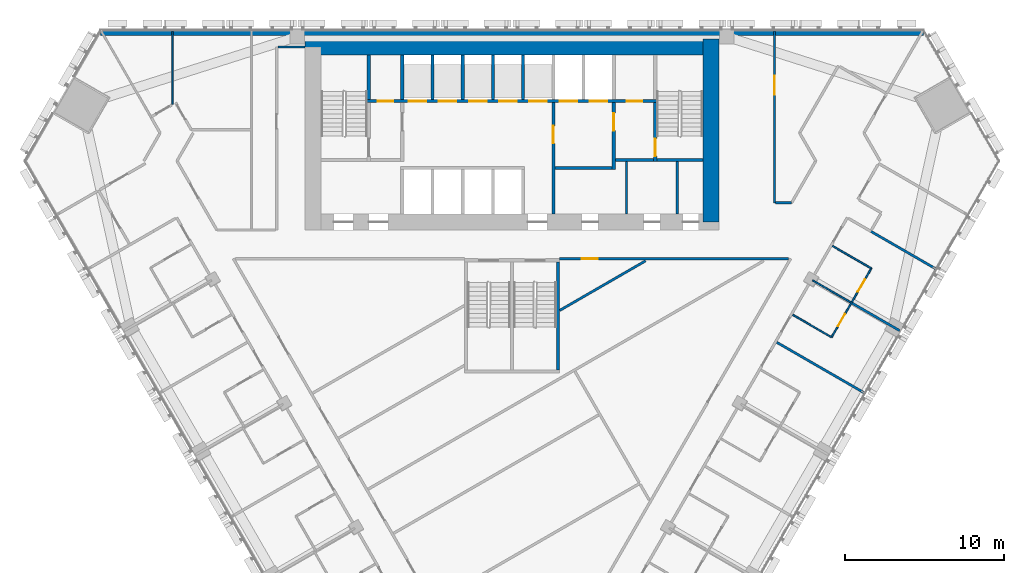
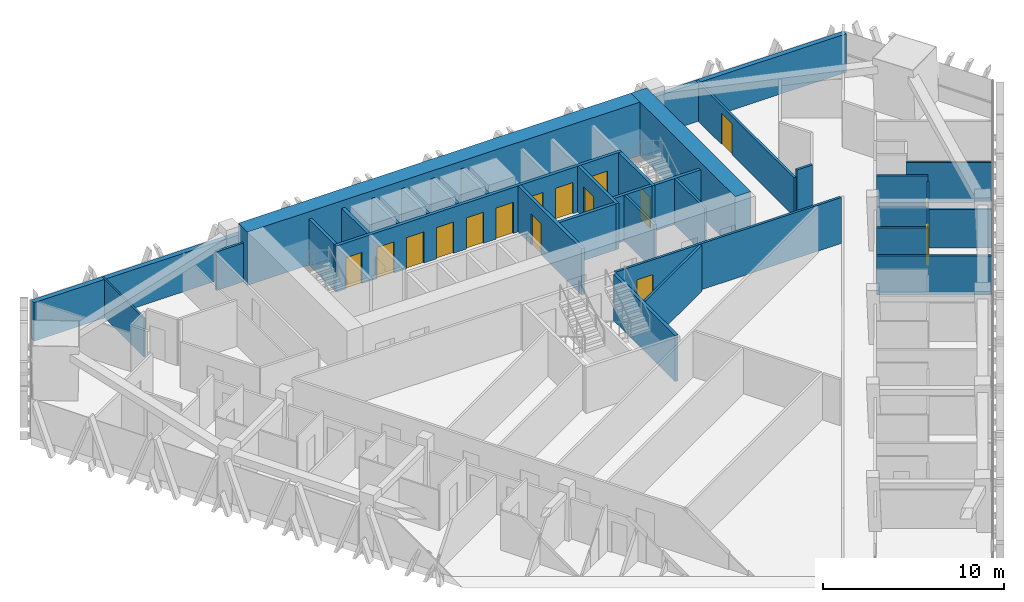
# One storey, part 13 of 18: 32 walls, 16 doors, 16 openings.
"""IFC4 building model written with IfcOpenShell, lengths in metres."""

import ifcopenshell
import ifcopenshell.guid

model = None  # the IFC model being written
_history = None  # IfcOwnerHistory: only IFC2X3 demands one
_inside = {}  # id of a spatial element -> (the spatial element, [elements in it])
_under = {}  # id of a project, library or spatial element -> (it, [spatial elements below it])
_declared = {}  # id of a project -> (the project, [libraries it declares])
_typed = {}  # id of a type object -> (the type object, [elements of that type])
_made_of = {}  # id of a material, layer set ... -> (it, [elements and type objects made of it])


def new_model(schema):
    """Start an empty IFC model of exactly this schema.

    Asked for "IFC4X3", IfcOpenShell would pick the latest addendum, in which some entities
    have other attributes; the version numbers below select the first issue.
    IFC2X3 requires an IfcOwnerHistory on every rooted entity: one is made here for all.
    """
    global model, _history
    if schema == "IFC4X3":
        model = ifcopenshell.file(schema_version=(4, 3, 0, 0))
    else:
        model = ifcopenshell.file(schema=schema)
    _inside.clear()
    _under.clear()
    _declared.clear()
    _typed.clear()
    _made_of.clear()
    _history = None
    if model.schema == "IFC2X3":
        org = make("IfcOrganization", Name="unknown")
        user = make(
            "IfcPersonAndOrganization",
            ThePerson=make("IfcPerson", FamilyName="unknown"),
            TheOrganization=org,
        )
        app = make(
            "IfcApplication",
            ApplicationDeveloper=org,
            Version="unknown",
            ApplicationFullName="unknown",
            ApplicationIdentifier="unknown",
        )
        _history = make(
            "IfcOwnerHistory",
            OwningUser=user,
            OwningApplication=app,
            ChangeAction="ADDED",
            CreationDate=0,
        )
    return model


def make(cls, **values):
    """One entity of the class cls with the attributes given. An attribute that is None is left unset."""
    return model.create_entity(
        cls, **{name: value for name, value in values.items() if value is not None}
    )


def rooted(cls, **values):
    """An entity with a GlobalId (a new one), such as an element, a storey or a relation."""
    return make(cls, GlobalId=ifcopenshell.guid.new(), OwnerHistory=_history, **values)


def si_unit(unit_type, name, prefix=None):
    """IfcSIUnit, for example si_unit("LENGTHUNIT", "METRE", prefix="MILLI")."""
    return make("IfcSIUnit", UnitType=unit_type, Prefix=prefix, Name=name)


def assignment(units):
    """IfcUnitAssignment: the units of a project."""
    return None if units is None else make("IfcUnitAssignment", Units=units)


def point(xyz):
    """IfcCartesianPoint."""
    return None if xyz is None else make("IfcCartesianPoint", Coordinates=xyz)


def direction(xyz):
    """IfcDirection."""
    return None if xyz is None else make("IfcDirection", DirectionRatios=xyz)


def frame(location, z_axis=None, x_axis=None):
    """IfcAxis2Placement3D, a coordinate frame: its origin and axes. An axis left out is left unset."""
    return make(
        "IfcAxis2Placement3D",
        Location=point(location),
        Axis=direction(z_axis),
        RefDirection=direction(x_axis),
    )


def frame_2d(location, x_axis=None):
    """IfcAxis2Placement2D, a coordinate frame in the plane: its origin and x axis."""
    return make(
        "IfcAxis2Placement2D", Location=point(location), RefDirection=direction(x_axis)
    )


def origin():
    """The frame at (0, 0, 0) with its axes left unset."""
    return frame((0.0, 0.0, 0.0))


def place(relative_to, where):
    """IfcLocalPlacement: puts the frame where relative to a parent placement (None: the world)."""
    return make(
        "IfcLocalPlacement", PlacementRelTo=relative_to, RelativePlacement=where
    )


def context(
    kind, dimensions, precision=None, world=None, true_north=None, identifier=None
):
    """IfcGeometricRepresentationContext, for example the 3D "Model" context."""
    return make(
        "IfcGeometricRepresentationContext",
        ContextIdentifier=identifier,
        ContextType=kind,
        CoordinateSpaceDimension=dimensions,
        Precision=precision,
        WorldCoordinateSystem=world,
        TrueNorth=true_north,
    )


def subcontext(parent, identifier, kind, view, scale=None):
    """IfcGeometricRepresentationSubContext, for example "Body" below "Model"."""
    return make(
        "IfcGeometricRepresentationSubContext",
        ContextIdentifier=identifier,
        ContextType=kind,
        ParentContext=parent,
        TargetScale=scale,
        TargetView=view,
    )


def project(units=None, contexts=None):
    """IfcProject with its units and contexts."""
    return rooted(
        "IfcProject",
        Name="project",
        RepresentationContexts=contexts,
        UnitsInContext=assignment(units),
    )


def spatial(cls, under=None, at=None, **own):
    """A site, building, storey or space (cls), placed at a placement, below another one or the project."""
    s = rooted(cls, ObjectPlacement=at, **own)
    if under is not None:
        _under.setdefault(under.id(), (under, []))[1].append(s)
    return s


def profile(cls, at=None, kind="AREA", **sizes):
    """A parametric profile (cls). Its sizes go by their IFC names, for example OverallWidth=200.0."""
    return make(cls, ProfileType=kind, Position=at, **sizes)


def rectangle(**sizes):
    """IfcRectangleProfileDef."""
    return profile("IfcRectangleProfileDef", **sizes)


def extrude(swept, where, along, depth):
    """IfcExtrudedAreaSolid: the profile swept, set in the frame where, extruded along a direction by depth."""
    return make(
        "IfcExtrudedAreaSolid",
        SweptArea=swept,
        Position=where,
        ExtrudedDirection=direction(along),
        Depth=depth,
    )


def shape(context_of_items, identifier, shape_type, items):
    """IfcShapeRepresentation: the items that make up one representation, for example the "Body"."""
    return make(
        "IfcShapeRepresentation",
        ContextOfItems=context_of_items,
        RepresentationIdentifier=identifier,
        RepresentationType=shape_type,
        Items=items,
    )


def material(Name=None, Category=None):
    """IfcMaterial."""
    return make("IfcMaterial", Name=Name, Category=Category)


def layer(
    of_material, thickness, ventilated=None, Name=None, Category=None, Priority=None
):
    """IfcMaterialLayer: one layer of a wall or slab, of a material (None: an air gap)."""
    return make(
        "IfcMaterialLayer",
        Material=of_material,
        LayerThickness=thickness,
        IsVentilated=ventilated,
        Name=Name,
        Category=Category,
        Priority=Priority,
    )


def layer_set(layers, Name=None):
    """IfcMaterialLayerSet."""
    return make("IfcMaterialLayerSet", MaterialLayers=layers, LayerSetName=Name)


def made_of(thing, what):
    """Note that an element or type object is made of a material, layer set ...; save() writes the relation."""
    if what is not None:
        _made_of.setdefault(what.id(), (what, []))[1].append(thing)
    return thing


def type_object(cls, material=None, **own):
    """A type object (cls), such as IfcWallType, which elements share."""
    return made_of(rooted(cls, **own), material)


def element(
    cls,
    number,
    at=None,
    inside=None,
    cuts=None,
    type_object=None,
    material=None,
    context=None,
    identifier="Body",
    shape_type=None,
    held_by="IfcProductDefinitionShape",
    body=None,
    shapes=None,
    **own,
):
    """One element of the class cls, such as IfcWall. Its Tag is "e" and its number.

    at: its placement. inside: the storey or other place that contains it. cuts: it is an
    opening in that element (IfcRelVoidsElement). A single representation is given by context,
    identifier, shape_type and body (its items); several are given by shapes. held_by: the class
    of the entity that holds the representations. save() writes the other relations.
    """
    e = rooted(cls, Tag="e%d" % number, ObjectPlacement=at, **own)
    if body is not None:
        shapes = [shape(context, identifier, shape_type, body)]
    if shapes is not None:
        e.Representation = make(held_by, Representations=shapes)
    if inside is not None:
        _inside.setdefault(inside.id(), (inside, []))[1].append(e)
    if cuts is not None:
        rooted(
            "IfcRelVoidsElement", RelatingBuildingElement=cuts, RelatedOpeningElement=e
        )
    if type_object is not None:
        _typed.setdefault(type_object.id(), (type_object, []))[1].append(e)
    return made_of(e, material)


def fill(opening, filler):
    """IfcRelFillsElement: the door or window that sits in an opening."""
    return rooted(
        "IfcRelFillsElement",
        RelatingOpeningElement=opening,
        RelatedBuildingElement=filler,
    )


def aggregate(whole, parts):
    """IfcRelAggregates: a whole, such as a stair, and the parts it consists of."""
    return rooted("IfcRelAggregates", RelatingObject=whole, RelatedObjects=parts)


def save(model, path):
    """Write the relations noted so far, then the file.

    IfcRelAggregates (storeys below a building ...), IfcRelContainedInSpatialStructure (elements
    in a storey), IfcRelDefinesByType, IfcRelAssociatesMaterial and IfcRelDeclares: one each for
    every whole, place, type object, material and project.
    """
    for whole, parts in _under.values():
        aggregate(whole, parts)
    for where, things in _inside.values():
        rooted(
            "IfcRelContainedInSpatialStructure",
            RelatedElements=things,
            RelatingStructure=where,
        )
    for kind, things in _typed.values():
        rooted("IfcRelDefinesByType", RelatedObjects=things, RelatingType=kind)
    for what, things in _made_of.values():
        rooted("IfcRelAssociatesMaterial", RelatedObjects=things, RelatingMaterial=what)
    for by, libraries in _declared.values():
        rooted("IfcRelDeclares", RelatingContext=by, RelatedDefinitions=libraries)
    model.write(path)


model = new_model("IFC4")

# Units and contexts
model_context = context("Model", 3, precision=1e-05, world=origin(), true_north=direction((0.0, 1.0)))
body_context = subcontext(model_context, "Body", "Model", "MODEL_VIEW")
ifc_project = project(units=[si_unit("LENGTHUNIT", "METRE"), si_unit("AREAUNIT", "SQUARE_METRE"), si_unit("VOLUMEUNIT", "CUBIC_METRE"), si_unit("PLANEANGLEUNIT", "RADIAN"), si_unit("MASSUNIT", "GRAM", prefix="KILO")], contexts=[model_context])

# Site, building, storey
site_placement = place(None, origin())
site = spatial("IfcSite", under=ifc_project, at=site_placement, CompositionType="ELEMENT")
building_placement = place(site_placement, origin())
building = spatial("IfcBuilding", under=site, at=building_placement, Name="Altiplano Prism Tower", CompositionType="ELEMENT")
storey_placement = place(building_placement, frame((0.0, 0.0, 48.60009765625)))
storey = spatial("IfcBuildingStorey", under=building, at=storey_placement, Name="L11", CompositionType="ELEMENT", Elevation=48.60009765625)

# Walls
ifc_material_1 = material(Name="Concrete C70/85", Category="concrete")
ifc_layer_1 = layer(ifc_material_1, 1.0)
ifc_layer_set_1 = layer_set([ifc_layer_1], Name="Concrete C70/85")
wall_type_1 = type_object("IfcWallType", Name="Core wall 1000", PredefinedType="SHEAR", material=ifc_layer_set_1)
wall_1_placement = place(storey_placement, frame((97.5, 92.89990234375, 0.0), z_axis=(0.0, 0.0, 1.0), x_axis=(0.0, 1.0, 0.0)))
element("IfcWall", 1, at=wall_1_placement, inside=storey, type_object=wall_type_1, Name="Core wall E L11", PredefinedType="SHEAR", context=body_context, shape_type="SweptSolid", body=[
    extrude(rectangle(XDim=11.5, YDim=1.0, at=frame_2d((5.75, 0.0))), origin(), (0.0, 0.0, 1.0), 3.599853515625),
])
wall_2_placement = place(storey_placement, frame((97.5, 103.89990234375, 0.0), z_axis=(0.0, 0.0, 1.0), x_axis=(-1.0, 0.0, 0.0)))
element("IfcWall", 2, at=wall_2_placement, inside=storey, type_object=wall_type_1, Name="Core wall N L11", PredefinedType="SHEAR", context=body_context, shape_type="SweptSolid", body=[
    extrude(rectangle(XDim=25.5, YDim=1.0, at=frame_2d((12.75, 0.0))), origin(), (0.0, 0.0, 1.0), 3.599853515625),
])
ifc_material_2 = material(Name="Plasterboard on steel stud", Category="steel")
ifc_layer_2 = layer(ifc_material_2, 0.10009765625)
ifc_layer_set_2 = layer_set([ifc_layer_2], Name="Plasterboard on steel stud")
wall_type_2 = type_object("IfcWallType", Name="Partition 100 unit", PredefinedType="PARTITIONING", material=ifc_layer_set_2)
for number, where, z_axis, x_axis, name in (
    (3, (105.0888671875, 85.657470703125, 0.0), (0.0, 0.0, 1.0), (-0.866011447264, 0.500024172624, 0.0), "Partition P02 L11 097"),
    (4, (105.142333984375, 91.400146484375, 0.0), (0.0, 0.0, 1.0), (0.866048868473, -0.499959355765, 0.0), "Partition P02 L11 100"),
):
    element("IfcWall", number, at=place(storey_placement, frame(where, z_axis=z_axis, x_axis=x_axis)), inside=storey, type_object=wall_type_2, Name=name, PredefinedType="PARTITIONING", context=body_context, shape_type="SweptSolid", body=[
        extrude(rectangle(XDim=2.824951171875, YDim=0.10009765625, at=frame_2d((1.41259765625, 0.0))), origin(), (0.0, 0.0, 1.0), 3.099853515625),
    ])

# Wall, openings, doors
wall_3_placement = place(storey_placement, frame((107.5888671875, 89.98779296875, 0.0), z_axis=(0.0, 0.0, 1.0), x_axis=(-0.499983091616, -0.866035165624, 0.0)))
wall_3 = element("IfcWall", 5, at=wall_3_placement, inside=storey, type_object=wall_type_2, Name="Partition P02 L11 101", PredefinedType="PARTITIONING", context=body_context, shape_type="SweptSolid", body=[
    extrude(rectangle(XDim=5.000244140625, YDim=0.10009765625, at=frame_2d((2.5, 0.0))), origin(), (0.0, 0.0, 1.0), 2.699951171875),
])
opening_1_placement = place(wall_3_placement, frame((3.300048828125, 0.0, 0.0)))
opening_1 = element("IfcOpeningElement", 6, at=opening_1_placement, cuts=wall_3, Name="Opening D0458", PredefinedType="OPENING", context=body_context, shape_type="SweptSolid", body=[
    extrude(rectangle(XDim=0.89990234375, YDim=2.10009765625, at=frame_2d((0.449951171875, 1.050048828125))), frame((0.0, 0.060546875, 0.0), z_axis=(0.0, -1.0, 0.0), x_axis=(1.0, 0.0, 0.0)), (0.0, 0.0, 1.0), 0.12109375),
])
opening_2_placement = place(wall_3_placement, frame((0.800048828125, 0.0, 0.0)))
opening_2 = element("IfcOpeningElement", 7, at=opening_2_placement, cuts=wall_3, Name="Opening D0460", PredefinedType="OPENING", context=body_context, shape_type="SweptSolid", body=[
    extrude(rectangle(XDim=0.89990234375, YDim=2.10009765625, at=frame_2d((0.449951171875, 1.050048828125))), frame((0.0, 0.060546875, 0.0), z_axis=(0.0, -1.0, 0.0), x_axis=(1.0, 0.0, 0.0)), (0.0, 0.0, 1.0), 0.12109375),
])
ifc_material_3 = material(Name="Timber", Category="wood")
door_type_1 = type_object("IfcDoorType", Name="Ensuite door 900 x 2100", OperationType="NOTDEFINED", PredefinedType="NOTDEFINED", material=ifc_material_3)
door_1_placement = place(opening_1_placement, origin())
door_1 = element("IfcDoor", 8, at=door_1_placement, inside=storey, type_object=door_type_1, Name="Door D0458", OperationType="SINGLE_SWING_LEFT", OverallHeight=2.10009765625, OverallWidth=0.89990234375, PredefinedType="NOTDEFINED", context=body_context, shape_type="SweptSolid", body=[
    extrude(rectangle(XDim=0.89990234375, YDim=2.10009765625, at=frame_2d((0.449951171875, 1.050048828125))), frame((0.0, 0.02490234375, 0.0), z_axis=(0.0, -1.0, 0.0), x_axis=(1.0, 0.0, 0.0)), (0.0, 0.0, 1.0), 0.050048828125),
])
fill(opening_1, door_1)
door_2_placement = place(opening_2_placement, origin())
door_2 = element("IfcDoor", 9, at=door_2_placement, inside=storey, type_object=door_type_1, Name="Door D0460", OperationType="SINGLE_SWING_LEFT", OverallHeight=2.10009765625, OverallWidth=0.89990234375, PredefinedType="NOTDEFINED", context=body_context, shape_type="SweptSolid", body=[
    extrude(rectangle(XDim=0.89990234375, YDim=2.10009765625, at=frame_2d((0.449951171875, 1.050048828125))), frame((0.0, 0.02490234375, 0.0), z_axis=(0.0, -1.0, 0.0), x_axis=(1.0, 0.0, 0.0)), (0.0, 0.0, 1.0), 0.050048828125),
])
fill(opening_2, door_2)

# Walls
ifc_layer_3 = layer(ifc_material_2, 0.10009765625)
ifc_layer_set_3 = layer_set([ifc_layer_3], Name="Plasterboard on steel stud")
wall_type_3 = type_object("IfcWallType", Name="Partition 100 wet", PredefinedType="PARTITIONING", material=ifc_layer_set_3)
wall_4_placement = place(storey_placement, frame((63.66357421875, 100.2880859375, 0.0), z_axis=(0.0, 0.0, 1.0), x_axis=(0.0, 1.0, 0.0)))
element("IfcWall", 10, at=wall_4_placement, inside=storey, type_object=wall_type_3, Name="Partition P03 L11 044", PredefinedType="PARTITIONING", context=body_context, shape_type="SweptSolid", body=[
    extrude(rectangle(XDim=4.61181640625, YDim=0.10009765625, at=frame_2d((2.305908203125, 0.0))), origin(), (0.0, 0.0, 1.0), 2.599853515625),
])
wall_5_placement = place(storey_placement, frame((106.295654296875, 87.84765625, 0.0), z_axis=(0.0, 0.0, 1.0), x_axis=(-0.866042014628, 0.499971228071, 0.0)))
element("IfcWall", 11, at=wall_5_placement, inside=storey, type_object=wall_type_3, Name="Partition P03 L11 099", PredefinedType="PARTITIONING", context=body_context, shape_type="SweptSolid", body=[
    extrude(rectangle(XDim=2.775146484375, YDim=0.10009765625, at=frame_2d((1.3876953125, 0.0))), origin(), (0.0, 0.0, 1.0), 2.699951171875),
])
ifc_layer_4 = layer(ifc_material_2, 0.14990234375)
ifc_layer_set_4 = layer_set([ifc_layer_4], Name="Plasterboard on steel stud")
wall_type_4 = type_object("IfcWallType", Name="Partition 150 corridor", PredefinedType="PARTITIONING", material=ifc_layer_set_4)
wall_6_placement = place(storey_placement, frame((72.0, 103.89990234375, 0.0), z_axis=(0.0, 0.0, 1.0), x_axis=(-1.0, 0.0, 0.0)))
element("IfcWall", 12, at=wall_6_placement, inside=storey, type_object=wall_type_4, Name="Partition P06 L11 002", PredefinedType="PARTITIONING", context=body_context, shape_type="SweptSolid", body=[
    extrude(rectangle(XDim=1.72509765625, YDim=0.14990234375, at=frame_2d((0.862548828125, 0.0))), origin(), (0.0, 0.0, 1.0), 2.599853515625),
])
wall_7_placement = place(storey_placement, frame((102.572998046875, 94.10009765625, 0.0), z_axis=(0.0, 0.0, 1.0), x_axis=(-1.0, 0.0, 0.0)))
element("IfcWall", 13, at=wall_7_placement, inside=storey, type_object=wall_type_4, Name="Partition P06 L11 038", PredefinedType="PARTITIONING", context=body_context, shape_type="SweptSolid", body=[
    extrude(rectangle(XDim=0.998046875, YDim=0.14990234375, at=frame_2d((0.4990234375, 0.0))), origin(), (0.0, 0.0, 1.0), 3.099853515625),
])

# Wall, opening, door
wall_8_placement = place(storey_placement, frame((101.5, 94.10009765625, 0.0), z_axis=(0.0, 0.0, 1.0), x_axis=(0.0, 1.0, 0.0)))
wall_8 = element("IfcWall", 14, at=wall_8_placement, inside=storey, type_object=wall_type_4, Name="Partition P06 L11 039", PredefinedType="PARTITIONING", context=body_context, shape_type="SweptSolid", body=[
    extrude(rectangle(XDim=10.7998046875, YDim=0.14990234375, at=frame_2d((5.39990234375, 0.0))), origin(), (0.0, 0.0, 1.0), 2.599853515625),
])
opening_3_placement = place(wall_8_placement, frame((6.7939453125, 0.0, 0.0)))
opening_3 = element("IfcOpeningElement", 15, at=opening_3_placement, cuts=wall_8, Name="Opening D0463", PredefinedType="OPENING", context=body_context, shape_type="SweptSolid", body=[
    extrude(rectangle(XDim=1.199951171875, YDim=2.10009765625, at=frame_2d((0.60009765625, 1.050048828125))), frame((0.0, 0.08544921875, 0.0), z_axis=(0.0, -1.0, 0.0), x_axis=(1.0, 0.0, 0.0)), (0.0, 0.0, 1.0), 0.1708984375),
])
door_type_2 = type_object("IfcDoorType", Name="Shared room door 1200 x 2100", OperationType="NOTDEFINED", PredefinedType="NOTDEFINED", material=ifc_material_3)
door_3_placement = place(opening_3_placement, origin())
door_3 = element("IfcDoor", 16, at=door_3_placement, inside=storey, type_object=door_type_2, Name="Door D0463", OperationType="SINGLE_SWING_LEFT", OverallHeight=2.10009765625, OverallWidth=1.199951171875, PredefinedType="NOTDEFINED", context=body_context, shape_type="SweptSolid", body=[
    extrude(rectangle(XDim=1.199951171875, YDim=2.10009765625, at=frame_2d((0.60009765625, 1.050048828125))), frame((0.0, 0.02490234375, 0.0), z_axis=(0.0, -1.0, 0.0), x_axis=(1.0, 0.0, 0.0)), (0.0, 0.0, 1.0), 0.050048828125),
])
fill(opening_3, door_3)

wall_9_placement = place(storey_placement, frame((88.0, 90.59912109375, 0.0), z_axis=(0.0, 0.0, 1.0), x_axis=(0.999999997696, 6.7885206e-05, 0.0)))
wall_9 = element("IfcWall", 17, at=wall_9_placement, inside=storey, type_object=wall_type_4, Name="Partition P06 L11 041", PredefinedType="PARTITIONING", context=body_context, shape_type="SweptSolid", body=[
    extrude(rectangle(XDim=14.385498046875, YDim=0.14990234375, at=frame_2d((7.19287109375, 0.0))), origin(), (0.0, 0.0, 1.0), 3.099853515625),
])
opening_4_placement = place(wall_9_placement, frame((1.3798828125, 0.0, 0.0)))
opening_4 = element("IfcOpeningElement", 18, at=opening_4_placement, cuts=wall_9, Name="Opening D0471", PredefinedType="OPENING", context=body_context, shape_type="SweptSolid", body=[
    extrude(rectangle(XDim=1.0, YDim=2.10009765625, at=frame_2d((0.5, 1.050048828125))), frame((0.0, 0.08544921875, 0.0), z_axis=(0.0, -1.0, 0.0), x_axis=(1.0, 0.0, 0.0)), (0.0, 0.0, 1.0), 0.1708984375),
])
door_type_3 = type_object("IfcDoorType", Name="Store door 1000 x 2100", OperationType="NOTDEFINED", PredefinedType="NOTDEFINED", material=ifc_material_3)
door_4_placement = place(opening_4_placement, origin())
door_4 = element("IfcDoor", 19, at=door_4_placement, inside=storey, type_object=door_type_3, Name="Door D0471", OperationType="SINGLE_SWING_LEFT", OverallHeight=2.10009765625, OverallWidth=1.0, PredefinedType="NOTDEFINED", context=body_context, shape_type="SweptSolid", body=[
    extrude(rectangle(XDim=1.0, YDim=2.10009765625, at=frame_2d((0.5, 1.050048828125))), frame((0.0, 0.02490234375, 0.0), z_axis=(0.0, -1.0, 0.0), x_axis=(1.0, 0.0, 0.0)), (0.0, 0.0, 1.0), 0.050048828125),
])
fill(opening_4, door_4)

# Walls
ifc_layer_5 = layer(ifc_material_2, 0.14990234375)
ifc_layer_set_5 = layer_set([ifc_layer_5], Name="Plasterboard on steel stud")
wall_type_5 = type_object("IfcWallType", Name="Partition 150 party", PredefinedType="PARTITIONING", material=ifc_layer_set_5)
wall_10_placement = place(storey_placement, frame((107.137451171875, 82.165283203125, 0.0), z_axis=(0.0, 0.0, 1.0), x_axis=(-0.866025401434, 0.500000004071, 0.0)))
element("IfcWall", 20, at=wall_10_placement, inside=storey, type_object=wall_type_5, Name="Partition P01 L11 096", PredefinedType="PARTITIONING", context=body_context, shape_type="SweptSolid", body=[
    extrude(rectangle(XDim=6.34521484375, YDim=0.14990234375, at=frame_2d((3.172607421875, 0.0))), origin(), (0.0, 0.0, 1.0), 2.599853515625),
])
wall_11_placement = place(storey_placement, frame((109.369873046875, 86.072509765625, 0.0), z_axis=(0.0, 0.0, 1.0), x_axis=(-0.86599583856, 0.500051204974, 0.0)))
element("IfcWall", 21, at=wall_11_placement, inside=storey, type_object=wall_type_5, Name="Partition P01 L11 098", PredefinedType="PARTITIONING", context=body_context, shape_type="SweptSolid", body=[
    extrude(rectangle(XDim=3.449951171875, YDim=0.14990234375, at=frame_2d((1.72509765625, 0.0))), origin(), (0.0, 0.0, 1.0), 2.599853515625),
])
wall_12_placement = place(storey_placement, frame((111.637451171875, 89.959716796875, 0.0), z_axis=(0.0, 0.0, 1.0), x_axis=(-0.866015897305, 0.500016465344, 0.0)))
element("IfcWall", 22, at=wall_12_placement, inside=storey, type_object=wall_type_5, Name="Partition P01 L11 102", PredefinedType="PARTITIONING", context=body_context, shape_type="SweptSolid", body=[
    extrude(rectangle(XDim=4.719970703125, YDim=0.14990234375, at=frame_2d((2.35986328125, 0.0))), origin(), (0.0, 0.0, 1.0), 2.599853515625),
])
wall_13_placement = place(storey_placement, frame((93.397705078125, 90.45947265625, 0.0), z_axis=(0.0, 0.0, 1.0), x_axis=(-0.866019248489, -0.500010661132, 0.0)))
element("IfcWall", 23, at=wall_13_placement, inside=storey, type_object=wall_type_5, Name="Partition P01 L11 110", PredefinedType="PARTITIONING", context=body_context, shape_type="SweptSolid", body=[
    extrude(rectangle(XDim=6.232666015625, YDim=0.14990234375, at=frame_2d((3.1162109375, 0.0))), origin(), (0.0, 0.0, 1.0), 3.099853515625),
])
ifc_material_4 = material(Name="Fire-rated gypsum board partition")
ifc_layer_6 = layer(ifc_material_4, 0.14990234375)
ifc_layer_set_6 = layer_set([ifc_layer_6], Name="Fire-rated gypsum board partition")
wall_type_6 = type_object("IfcWallType", Name="Room partition 150", PredefinedType="PARTITIONING", material=ifc_layer_set_6)
for number, where, z_axis, x_axis, name in (
    (24, (92.199951171875, 93.39990234375, 0.0), (0.0, 0.0, 1.0), (0.0, 1.0, 0.0), "Room partition L11"),
    (25, (95.39990234375, 93.39990234375, 0.0), (0.0, 0.0, 1.0), (0.0, 1.0, 0.0), "Room partition L11"),
):
    element("IfcWall", number, at=place(storey_placement, frame(where, z_axis=z_axis, x_axis=x_axis)), inside=storey, type_object=wall_type_6, Name=name, PredefinedType="PARTITIONING", context=body_context, shape_type="SweptSolid", body=[
        extrude(rectangle(XDim=3.300048828125, YDim=0.14990234375, at=frame_2d((1.64990234375, 0.0))), origin(), (0.0, 0.0, 1.0), 3.099853515625),
    ])
ifc_material_5 = material(Name="Concrete C60/75", Category="concrete")
ifc_layer_7 = layer(ifc_material_5, 0.199951171875)
ifc_layer_set_7 = layer_set([ifc_layer_7], Name="Concrete C60/75")
wall_type_7 = type_object("IfcWallType", Name="Shaft wall 200", PredefinedType="SOLIDWALL", material=ifc_layer_set_7)
for number, where, z_axis, x_axis, name in (
    (26, (78.10009765625, 100.60009765625, 0.0), (0.0, 0.0, 1.0), (0.0, 1.0, 0.0), "Shaft wall L11"),
    (27, (80.0, 100.60009765625, 0.0), (0.0, 0.0, 1.0), (0.0, 1.0, 0.0), "Shaft wall L11"),
    (28, (81.89990234375, 100.60009765625, 0.0), (0.0, 0.0, 1.0), (0.0, 1.0, 0.0), "Shaft wall L11"),
    (29, (83.800048828125, 100.60009765625, 0.0), (0.0, 0.0, 1.0), (0.0, 1.0, 0.0), "Shaft wall L11"),
    (30, (85.699951171875, 100.60009765625, 0.0), (0.0, 0.0, 1.0), (0.0, 1.0, 0.0), "Shaft wall L11"),
):
    element("IfcWall", number, at=place(storey_placement, frame(where, z_axis=z_axis, x_axis=x_axis)), inside=storey, type_object=wall_type_7, Name=name, PredefinedType="SOLIDWALL", context=body_context, shape_type="SweptSolid", body=[
        extrude(rectangle(XDim=2.7998046875, YDim=0.199951171875, at=frame_2d((1.39990234375, 0.0))), origin(), (0.0, 0.0, 1.0), 3.099853515625),
    ])

# Wall, opening, door
ifc_layer_8 = layer(ifc_material_5, 0.199951171875)
ifc_layer_set_8 = layer_set([ifc_layer_8], Name="Concrete C60/75")
wall_type_8 = type_object("IfcWallType", Name="Stair wall 200", PredefinedType="SOLIDWALL", material=ifc_layer_set_8)
wall_14_placement = place(storey_placement, frame((94.0, 96.699951171875, 0.0), z_axis=(0.0, 0.0, 1.0), x_axis=(0.0, 1.0, 0.0)))
wall_14 = element("IfcWall", 31, at=wall_14_placement, inside=storey, type_object=wall_type_8, Name="Stair wall L11", PredefinedType="SOLIDWALL", context=body_context, shape_type="SweptSolid", body=[
    extrude(rectangle(XDim=3.699951171875, YDim=0.199951171875, at=frame_2d((1.85009765625, 0.0))), origin(), (0.0, 0.0, 1.0), 3.099853515625),
])
opening_5_placement = place(wall_14_placement, frame((0.35009765625, 0.0, 0.0)))
opening_5 = element("IfcOpeningElement", 32, at=opening_5_placement, cuts=wall_14, Name="Opening D2734", PredefinedType="OPENING", context=body_context, shape_type="SweptSolid", body=[
    extrude(rectangle(XDim=1.10009765625, YDim=2.10009765625, at=frame_2d((0.550048828125, 1.050048828125))), frame((0.0, 0.1103515625, 0.0), z_axis=(0.0, -1.0, 0.0), x_axis=(1.0, 0.0, 0.0)), (0.0, 0.0, 1.0), 0.220947265625),
])
ifc_material_6 = material(Name="Fire-rated steel door", Category="steel")
door_type_4 = type_object("IfcDoorType", Name="Stair fire door 1100 x 2100", OperationType="NOTDEFINED", PredefinedType="NOTDEFINED", material=ifc_material_6)
door_5_placement = place(opening_5_placement, origin())
door_5 = element("IfcDoor", 33, at=door_5_placement, inside=storey, type_object=door_type_4, Name="Stair fire door D2734", OperationType="SINGLE_SWING_LEFT", OverallHeight=2.10009765625, OverallWidth=1.10009765625, PredefinedType="NOTDEFINED", context=body_context, shape_type="SweptSolid", body=[
    extrude(rectangle(XDim=1.10009765625, YDim=2.10009765625, at=frame_2d((0.550048828125, 1.050048828125))), frame((0.0, 0.02490234375, 0.0), z_axis=(0.0, -1.0, 0.0), x_axis=(1.0, 0.0, 0.0)), (0.0, 0.0, 1.0), 0.050048828125),
])
fill(opening_5, door_5)

# Wall
wall_15_placement = place(storey_placement, frame((94.10009765625, 96.800048828125, 0.0), z_axis=(0.0, 0.0, 1.0), x_axis=(1.0, 0.0, 0.0)))
element("IfcWall", 34, at=wall_15_placement, inside=storey, type_object=wall_type_8, Name="Stair wall L11", PredefinedType="SOLIDWALL", context=body_context, shape_type="SweptSolid", body=[
    extrude(rectangle(XDim=2.89990234375, YDim=0.199951171875, at=frame_2d((1.449951171875, 0.0))), origin(), (0.0, 0.0, 1.0), 3.099853515625),
])

# Wall, openings, doors
wall_16_placement = place(storey_placement, frame((75.89990234375, 100.5, 0.0), z_axis=(0.0, 0.0, 1.0), x_axis=(1.0, 0.0, 0.0)))
wall_16 = element("IfcWall", 35, at=wall_16_placement, inside=storey, type_object=wall_type_8, Name="Stair wall L11", PredefinedType="SOLIDWALL", context=body_context, shape_type="SweptSolid", body=[
    extrude(rectangle(XDim=18.2001953125, YDim=0.199951171875, at=frame_2d((9.10009765625, 0.0))), origin(), (0.0, 0.0, 1.0), 3.099853515625),
])
opening_6_placement = place(wall_16_placement, frame((2.60009765625, 0.0, 0.0)))
opening_6 = element("IfcOpeningElement", 36, at=opening_6_placement, cuts=wall_16, Name="Opening LD-LL1-L11", PredefinedType="OPENING", context=body_context, shape_type="SweptSolid", body=[
    extrude(rectangle(XDim=1.10009765625, YDim=2.10009765625, at=frame_2d((0.550048828125, 1.050048828125))), frame((0.0, 0.1103515625, 0.0), z_axis=(0.0, -1.0, 0.0), x_axis=(1.0, 0.0, 0.0)), (0.0, 0.0, 1.0), 0.220947265625),
])
opening_7_placement = place(wall_16_placement, frame((4.5, 0.0, 0.0)))
opening_7 = element("IfcOpeningElement", 37, at=opening_7_placement, cuts=wall_16, Name="Opening LD-LL2-L11", PredefinedType="OPENING", context=body_context, shape_type="SweptSolid", body=[
    extrude(rectangle(XDim=1.10009765625, YDim=2.10009765625, at=frame_2d((0.550048828125, 1.050048828125))), frame((0.0, 0.1103515625, 0.0), z_axis=(0.0, -1.0, 0.0), x_axis=(1.0, 0.0, 0.0)), (0.0, 0.0, 1.0), 0.220947265625),
])
opening_8_placement = place(wall_16_placement, frame((6.39990234375, 0.0, 0.0)))
opening_8 = element("IfcOpeningElement", 38, at=opening_8_placement, cuts=wall_16, Name="Opening LD-LL3-L11", PredefinedType="OPENING", context=body_context, shape_type="SweptSolid", body=[
    extrude(rectangle(XDim=1.10009765625, YDim=2.10009765625, at=frame_2d((0.550048828125, 1.050048828125))), frame((0.0, 0.1103515625, 0.0), z_axis=(0.0, -1.0, 0.0), x_axis=(1.0, 0.0, 0.0)), (0.0, 0.0, 1.0), 0.220947265625),
])
opening_9_placement = place(wall_16_placement, frame((8.300048828125, 0.0, 0.0)))
opening_9 = element("IfcOpeningElement", 39, at=opening_9_placement, cuts=wall_16, Name="Opening LD-LL4-L11", PredefinedType="OPENING", context=body_context, shape_type="SweptSolid", body=[
    extrude(rectangle(XDim=1.10009765625, YDim=2.10009765625, at=frame_2d((0.550048828125, 1.050048828125))), frame((0.0, 0.1103515625, 0.0), z_axis=(0.0, -1.0, 0.0), x_axis=(1.0, 0.0, 0.0)), (0.0, 0.0, 1.0), 0.220947265625),
])
opening_10_placement = place(wall_16_placement, frame((10.199951171875, 0.0, 0.0)))
opening_10 = element("IfcOpeningElement", 40, at=opening_10_placement, cuts=wall_16, Name="Opening LD-LL5-L11", PredefinedType="OPENING", context=body_context, shape_type="SweptSolid", body=[
    extrude(rectangle(XDim=1.10009765625, YDim=2.10009765625, at=frame_2d((0.550048828125, 1.050048828125))), frame((0.0, 0.1103515625, 0.0), z_axis=(0.0, -1.0, 0.0), x_axis=(1.0, 0.0, 0.0)), (0.0, 0.0, 1.0), 0.220947265625),
])
opening_11_placement = place(wall_16_placement, frame((12.10009765625, 0.0, 0.0)))
opening_11 = element("IfcOpeningElement", 41, at=opening_11_placement, cuts=wall_16, Name="Opening LD-FF1-L11", PredefinedType="OPENING", context=body_context, shape_type="SweptSolid", body=[
    extrude(rectangle(XDim=1.10009765625, YDim=2.10009765625, at=frame_2d((0.550048828125, 1.050048828125))), frame((0.0, 0.1103515625, 0.0), z_axis=(0.0, -1.0, 0.0), x_axis=(1.0, 0.0, 0.0)), (0.0, 0.0, 1.0), 0.220947265625),
])
opening_12_placement = place(wall_16_placement, frame((14.0, 0.0, 0.0)))
opening_12 = element("IfcOpeningElement", 42, at=opening_12_placement, cuts=wall_16, Name="Opening LD-FF2-L11", PredefinedType="OPENING", context=body_context, shape_type="SweptSolid", body=[
    extrude(rectangle(XDim=1.10009765625, YDim=2.10009765625, at=frame_2d((0.550048828125, 1.050048828125))), frame((0.0, 0.1103515625, 0.0), z_axis=(0.0, -1.0, 0.0), x_axis=(1.0, 0.0, 0.0)), (0.0, 0.0, 1.0), 0.220947265625),
])
opening_13_placement = place(wall_16_placement, frame((0.64990234375, 0.0, 0.0)))
opening_13 = element("IfcOpeningElement", 43, at=opening_13_placement, cuts=wall_16, Name="Opening D2741", PredefinedType="OPENING", context=body_context, shape_type="SweptSolid", body=[
    extrude(rectangle(XDim=1.0, YDim=2.10009765625, at=frame_2d((0.5, 1.050048828125))), frame((0.0, 0.1103515625, 0.0), z_axis=(0.0, -1.0, 0.0), x_axis=(1.0, 0.0, 0.0)), (0.0, 0.0, 1.0), 0.220947265625),
])
opening_14_placement = place(wall_16_placement, frame((16.300048828125, 0.0, 0.0)))
opening_14 = element("IfcOpeningElement", 44, at=opening_14_placement, cuts=wall_16, Name="Opening D2742", PredefinedType="OPENING", context=body_context, shape_type="SweptSolid", body=[
    extrude(rectangle(XDim=1.0, YDim=2.10009765625, at=frame_2d((0.5, 1.050048828125))), frame((0.0, 0.1103515625, 0.0), z_axis=(0.0, -1.0, 0.0), x_axis=(1.0, 0.0, 0.0)), (0.0, 0.0, 1.0), 0.220947265625),
])
door_type_5 = type_object("IfcDoorType", Name="Core room door 1000 x 2100", OperationType="NOTDEFINED", PredefinedType="NOTDEFINED", material=ifc_material_6)
door_6_placement = place(opening_13_placement, origin())
door_6 = element("IfcDoor", 45, at=door_6_placement, inside=storey, type_object=door_type_5, Name="Core room door D2741", OperationType="SINGLE_SWING_LEFT", OverallHeight=2.10009765625, OverallWidth=1.0, PredefinedType="NOTDEFINED", context=body_context, shape_type="SweptSolid", body=[
    extrude(rectangle(XDim=1.0, YDim=2.10009765625, at=frame_2d((0.5, 1.050048828125))), frame((0.0, 0.02490234375, 0.0), z_axis=(0.0, -1.0, 0.0), x_axis=(1.0, 0.0, 0.0)), (0.0, 0.0, 1.0), 0.050048828125),
])
fill(opening_13, door_6)
door_7_placement = place(opening_14_placement, origin())
door_7 = element("IfcDoor", 46, at=door_7_placement, inside=storey, type_object=door_type_5, Name="Core room door D2742", OperationType="SINGLE_SWING_RIGHT", OverallHeight=2.10009765625, OverallWidth=1.0, PredefinedType="NOTDEFINED", context=body_context, shape_type="SweptSolid", body=[
    extrude(rectangle(XDim=1.0, YDim=2.10009765625, at=frame_2d((0.5, 1.050048828125))), frame((0.0, 0.02490234375, 0.0), z_axis=(0.0, -1.0, 0.0), x_axis=(1.0, 0.0, 0.0)), (0.0, 0.0, 1.0), 0.050048828125),
])
fill(opening_14, door_7)
ifc_material_7 = material(Name="Stainless steel landing door", Category="steel")
door_type_6 = type_object("IfcDoorType", Name="Landing door 1100 x 2100", OperationType="NOTDEFINED", PredefinedType="NOTDEFINED", material=ifc_material_7)
door_8_placement = place(opening_6_placement, origin())
door_8 = element("IfcDoor", 47, at=door_8_placement, inside=storey, type_object=door_type_6, Name="Landing doors LL1", OperationType="SLIDING_TO_RIGHT", OverallHeight=2.10009765625, OverallWidth=1.10009765625, PredefinedType="NOTDEFINED", context=body_context, shape_type="SweptSolid", body=[
    extrude(rectangle(XDim=1.10009765625, YDim=2.10009765625, at=frame_2d((0.550048828125, 1.050048828125))), frame((0.0, 0.02490234375, 0.0), z_axis=(0.0, -1.0, 0.0), x_axis=(1.0, 0.0, 0.0)), (0.0, 0.0, 1.0), 0.050048828125),
])
fill(opening_6, door_8)
door_9_placement = place(opening_7_placement, origin())
door_9 = element("IfcDoor", 48, at=door_9_placement, inside=storey, type_object=door_type_6, Name="Landing doors LL2", OperationType="SLIDING_TO_LEFT", OverallHeight=2.10009765625, OverallWidth=1.10009765625, PredefinedType="NOTDEFINED", context=body_context, shape_type="SweptSolid", body=[
    extrude(rectangle(XDim=1.10009765625, YDim=2.10009765625, at=frame_2d((0.550048828125, 1.050048828125))), frame((0.0, 0.02490234375, 0.0), z_axis=(0.0, -1.0, 0.0), x_axis=(1.0, 0.0, 0.0)), (0.0, 0.0, 1.0), 0.050048828125),
])
fill(opening_7, door_9)
door_10_placement = place(opening_8_placement, origin())
door_10 = element("IfcDoor", 49, at=door_10_placement, inside=storey, type_object=door_type_6, Name="Landing doors LL3", OperationType="SLIDING_TO_RIGHT", OverallHeight=2.10009765625, OverallWidth=1.10009765625, PredefinedType="NOTDEFINED", context=body_context, shape_type="SweptSolid", body=[
    extrude(rectangle(XDim=1.10009765625, YDim=2.10009765625, at=frame_2d((0.550048828125, 1.050048828125))), frame((0.0, 0.02490234375, 0.0), z_axis=(0.0, -1.0, 0.0), x_axis=(1.0, 0.0, 0.0)), (0.0, 0.0, 1.0), 0.050048828125),
])
fill(opening_8, door_10)
door_11_placement = place(opening_9_placement, origin())
door_11 = element("IfcDoor", 50, at=door_11_placement, inside=storey, type_object=door_type_6, Name="Landing doors LL4", OperationType="SLIDING_TO_LEFT", OverallHeight=2.10009765625, OverallWidth=1.10009765625, PredefinedType="NOTDEFINED", context=body_context, shape_type="SweptSolid", body=[
    extrude(rectangle(XDim=1.10009765625, YDim=2.10009765625, at=frame_2d((0.550048828125, 1.050048828125))), frame((0.0, 0.02490234375, 0.0), z_axis=(0.0, -1.0, 0.0), x_axis=(1.0, 0.0, 0.0)), (0.0, 0.0, 1.0), 0.050048828125),
])
fill(opening_9, door_11)
door_12_placement = place(opening_10_placement, origin())
door_12 = element("IfcDoor", 51, at=door_12_placement, inside=storey, type_object=door_type_6, Name="Landing doors LL5", OperationType="SLIDING_TO_RIGHT", OverallHeight=2.10009765625, OverallWidth=1.10009765625, PredefinedType="NOTDEFINED", context=body_context, shape_type="SweptSolid", body=[
    extrude(rectangle(XDim=1.10009765625, YDim=2.10009765625, at=frame_2d((0.550048828125, 1.050048828125))), frame((0.0, 0.02490234375, 0.0), z_axis=(0.0, -1.0, 0.0), x_axis=(1.0, 0.0, 0.0)), (0.0, 0.0, 1.0), 0.050048828125),
])
fill(opening_10, door_12)
door_13_placement = place(opening_11_placement, origin())
door_13 = element("IfcDoor", 52, at=door_13_placement, inside=storey, type_object=door_type_6, Name="Landing doors FF1", OperationType="SLIDING_TO_RIGHT", OverallHeight=2.10009765625, OverallWidth=1.10009765625, PredefinedType="NOTDEFINED", context=body_context, shape_type="SweptSolid", body=[
    extrude(rectangle(XDim=1.10009765625, YDim=2.10009765625, at=frame_2d((0.550048828125, 1.050048828125))), frame((0.0, 0.02490234375, 0.0), z_axis=(0.0, -1.0, 0.0), x_axis=(1.0, 0.0, 0.0)), (0.0, 0.0, 1.0), 0.050048828125),
])
fill(opening_11, door_13)
door_14_placement = place(opening_12_placement, origin())
door_14 = element("IfcDoor", 53, at=door_14_placement, inside=storey, type_object=door_type_6, Name="Landing doors FF2", OperationType="SLIDING_TO_LEFT", OverallHeight=2.10009765625, OverallWidth=1.10009765625, PredefinedType="NOTDEFINED", context=body_context, shape_type="SweptSolid", body=[
    extrude(rectangle(XDim=1.10009765625, YDim=2.10009765625, at=frame_2d((0.550048828125, 1.050048828125))), frame((0.0, 0.02490234375, 0.0), z_axis=(0.0, -1.0, 0.0), x_axis=(1.0, 0.0, 0.0)), (0.0, 0.0, 1.0), 0.050048828125),
])
fill(opening_12, door_14)

# Walls
wall_17_placement = place(storey_placement, frame((76.0, 100.60009765625, 0.0), z_axis=(0.0, 0.0, 1.0), x_axis=(0.0, 1.0, 0.0)))
element("IfcWall", 54, at=wall_17_placement, inside=storey, type_object=wall_type_8, Name="Stair wall L11", PredefinedType="SOLIDWALL", context=body_context, shape_type="SweptSolid", body=[
    extrude(rectangle(XDim=2.7998046875, YDim=0.199951171875, at=frame_2d((1.39990234375, 0.0))), origin(), (0.0, 0.0, 1.0), 3.099853515625),
])
wall_18_placement = place(storey_placement, frame((87.89990234375, 83.60009765625, 0.0), z_axis=(0.0, 0.0, 1.0), x_axis=(0.0, 1.0, 0.0)))
element("IfcWall", 55, at=wall_18_placement, inside=storey, type_object=wall_type_8, Name="Stair 3 wall east L11", PredefinedType="SOLIDWALL", context=body_context, shape_type="SweptSolid", body=[
    extrude(rectangle(XDim=6.7998046875, YDim=0.199951171875, at=frame_2d((3.39990234375, 0.0))), origin(), (0.0, 0.0, 1.0), 3.099853515625),
])
ifc_material_8 = material(Name="Concrete C40", Category="concrete")
ifc_layer_9 = layer(ifc_material_8, 0.300048828125)
ifc_layer_set_9 = layer_set([ifc_layer_9], Name="Concrete C40")
wall_type_9 = type_object("IfcWallType", Name="Stone-clad external wall 300", PredefinedType="SOLIDWALL", material=ifc_layer_set_9)
wall_19_placement = place(storey_placement, frame((59.125, 104.7900390625, 0.0), z_axis=(0.0, 0.0, 1.0), x_axis=(1.0, 0.0, 0.0)))
element("IfcWall", 56, at=wall_19_placement, inside=storey, type_object=wall_type_9, Name="External wall north face L11", PredefinedType="SOLIDWALL", context=body_context, shape_type="SweptSolid", body=[
    extrude(rectangle(XDim=51.75, YDim=0.300048828125, at=frame_2d((25.875, 0.0))), origin(), (0.0, 0.0, 1.0), 2.599853515625),
])

# Wall, opening, door
ifc_layer_10 = layer(ifc_material_5, 0.199951171875)
ifc_layer_set_10 = layer_set([ifc_layer_10], Name="Concrete C60/75")
wall_type_10 = type_object("IfcWallType", Name="Vestibule wall 200", PredefinedType="PARTITIONING", material=ifc_layer_set_10)
wall_20_placement = place(storey_placement, frame((87.60009765625, 93.39990234375, 0.0), z_axis=(0.0, 0.0, 1.0), x_axis=(0.0, 1.0, 0.0)))
wall_20 = element("IfcWall", 57, at=wall_20_placement, inside=storey, type_object=wall_type_10, Name="Vestibule wall L11", PredefinedType="PARTITIONING", context=body_context, shape_type="SweptSolid", body=[
    extrude(rectangle(XDim=7.0, YDim=0.199951171875, at=frame_2d((3.5, 0.0))), origin(), (0.0, 0.0, 1.0), 3.099853515625),
])
opening_15_placement = place(wall_20_placement, frame((4.449951171875, 0.0, 0.0)))
opening_15 = element("IfcOpeningElement", 58, at=opening_15_placement, cuts=wall_20, Name="Opening D2736", PredefinedType="OPENING", context=body_context, shape_type="SweptSolid", body=[
    extrude(rectangle(XDim=1.10009765625, YDim=2.10009765625, at=frame_2d((0.550048828125, 1.050048828125))), frame((0.0, 0.1103515625, 0.0), z_axis=(0.0, -1.0, 0.0), x_axis=(1.0, 0.0, 0.0)), (0.0, 0.0, 1.0), 0.220947265625),
])
door_type_7 = type_object("IfcDoorType", Name="Vestibule fire door 1100 x 2100", OperationType="NOTDEFINED", PredefinedType="NOTDEFINED", material=ifc_material_6)
door_15_placement = place(opening_15_placement, origin())
door_15 = element("IfcDoor", 59, at=door_15_placement, inside=storey, type_object=door_type_7, Name="Vestibule fire door D2736", OperationType="SINGLE_SWING_RIGHT", OverallHeight=2.10009765625, OverallWidth=1.10009765625, PredefinedType="NOTDEFINED", context=body_context, shape_type="SweptSolid", body=[
    extrude(rectangle(XDim=1.10009765625, YDim=2.10009765625, at=frame_2d((0.550048828125, 1.050048828125))), frame((0.0, 0.02490234375, 0.0), z_axis=(0.0, -1.0, 0.0), x_axis=(1.0, 0.0, 0.0)), (0.0, 0.0, 1.0), 0.050048828125),
])
fill(opening_15, door_15)

# Wall
wall_21_placement = place(storey_placement, frame((87.699951171875, 96.300048828125, 0.0), z_axis=(0.0, 0.0, 1.0), x_axis=(1.0, 0.0, 0.0)))
element("IfcWall", 60, at=wall_21_placement, inside=storey, type_object=wall_type_10, Name="Vestibule wall L11", PredefinedType="PARTITIONING", context=body_context, shape_type="SweptSolid", body=[
    extrude(rectangle(XDim=3.60009765625, YDim=0.199951171875, at=frame_2d((1.800048828125, 0.0))), origin(), (0.0, 0.0, 1.0), 3.099853515625),
])

# Wall, opening, door
wall_22_placement = place(storey_placement, frame((91.39990234375, 96.199951171875, 0.0), z_axis=(0.0, 0.0, 1.0), x_axis=(0.0, 1.0, 0.0)))
wall_22 = element("IfcWall", 61, at=wall_22_placement, inside=storey, type_object=wall_type_10, Name="Vestibule wall L11", PredefinedType="PARTITIONING", context=body_context, shape_type="SweptSolid", body=[
    extrude(rectangle(XDim=4.199951171875, YDim=0.199951171875, at=frame_2d((2.10009765625, 0.0))), origin(), (0.0, 0.0, 1.0), 3.099853515625),
])
opening_16_placement = place(wall_22_placement, frame((2.449951171875, 0.0, 0.0)))
opening_16 = element("IfcOpeningElement", 62, at=opening_16_placement, cuts=wall_22, Name="Opening D2737", PredefinedType="OPENING", context=body_context, shape_type="SweptSolid", body=[
    extrude(rectangle(XDim=1.10009765625, YDim=2.10009765625, at=frame_2d((0.550048828125, 1.050048828125))), frame((0.0, 0.1103515625, 0.0), z_axis=(0.0, -1.0, 0.0), x_axis=(1.0, 0.0, 0.0)), (0.0, 0.0, 1.0), 0.220947265625),
])
door_16_placement = place(opening_16_placement, origin())
door_16 = element("IfcDoor", 63, at=door_16_placement, inside=storey, type_object=door_type_7, Name="Vestibule fire door D2737", OperationType="SINGLE_SWING_LEFT", OverallHeight=2.10009765625, OverallWidth=1.10009765625, PredefinedType="NOTDEFINED", context=body_context, shape_type="SweptSolid", body=[
    extrude(rectangle(XDim=1.10009765625, YDim=2.10009765625, at=frame_2d((0.550048828125, 1.050048828125))), frame((0.0, 0.02490234375, 0.0), z_axis=(0.0, -1.0, 0.0), x_axis=(1.0, 0.0, 0.0)), (0.0, 0.0, 1.0), 0.050048828125),
])
fill(opening_16, door_16)

# Wall
wall_23_placement = place(storey_placement, frame((91.5, 96.800048828125, 0.0), z_axis=(0.0, 0.0, 1.0), x_axis=(1.0, 0.0, 0.0)))
element("IfcWall", 64, at=wall_23_placement, inside=storey, type_object=wall_type_10, Name="Vestibule wall L11", PredefinedType="PARTITIONING", context=body_context, shape_type="SweptSolid", body=[
    extrude(rectangle(XDim=2.39990234375, YDim=0.199951171875, at=frame_2d((1.199951171875, 0.0))), origin(), (0.0, 0.0, 1.0), 3.099853515625),
])

save(model, "model.ifc")
